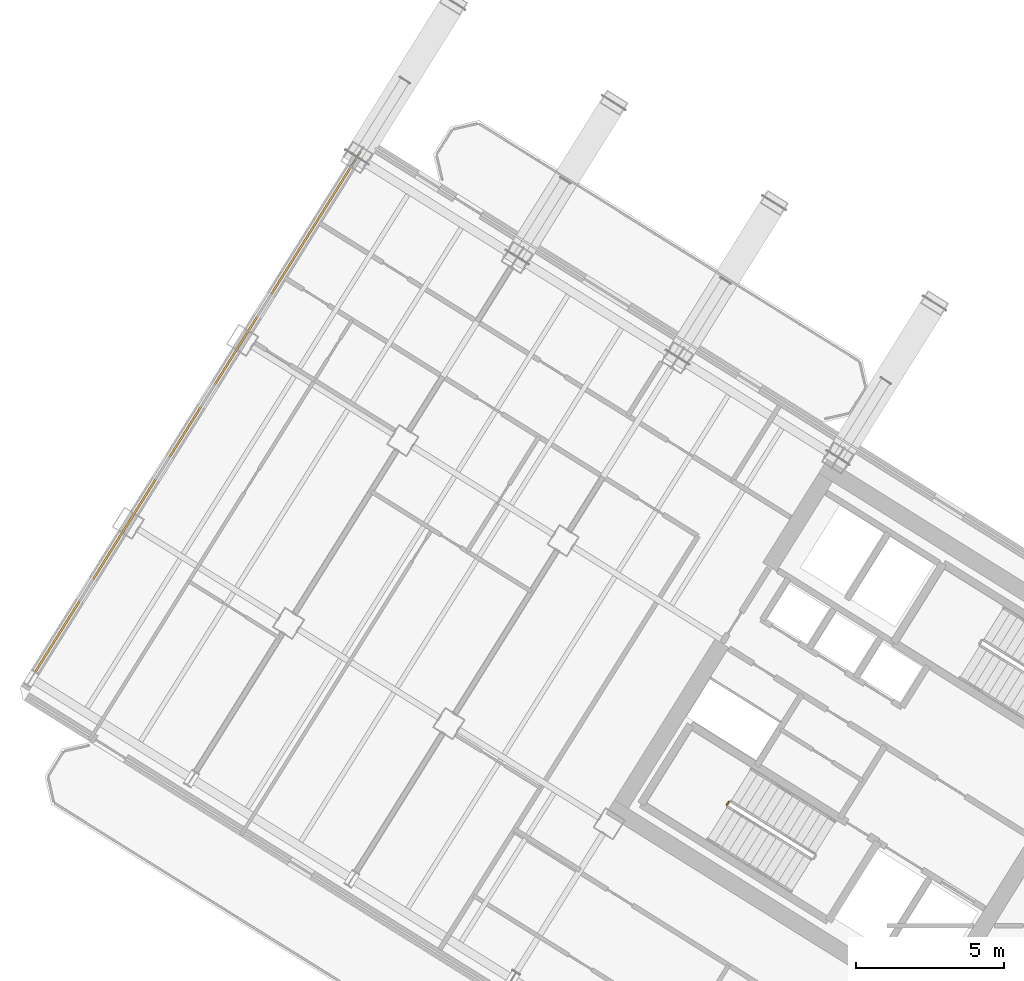
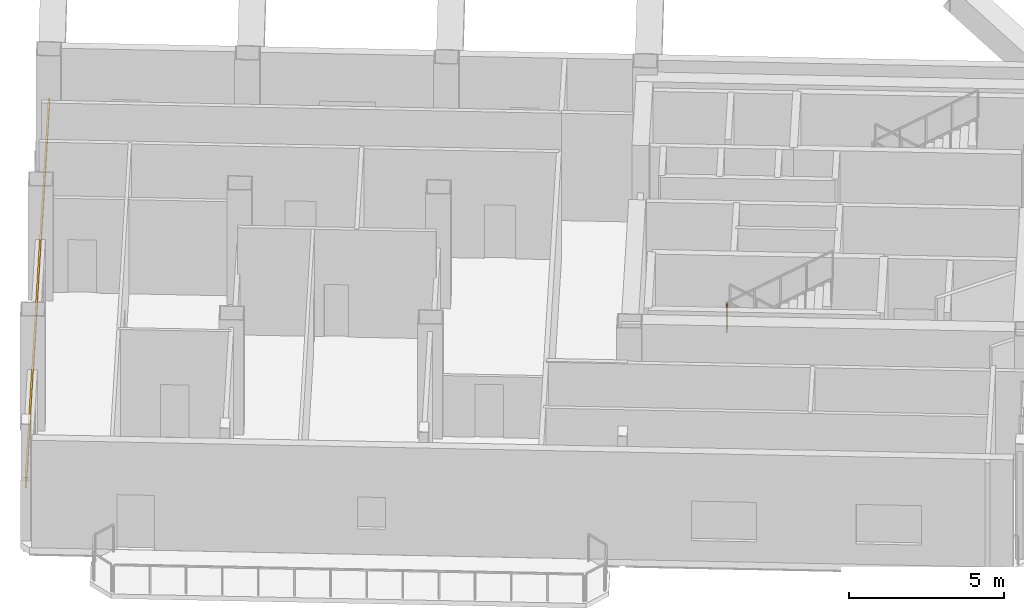
# One storey, part 30 of 34: 1 covering, 1 railing.
"""IFC4 building model written with IfcOpenShell, lengths in metres."""

from ifc_helpers import new_model, si_unit, direction, frame, origin, origin_2d, place, context, subcontext, project, spatial, rectangle, extrude, source, transform, mapped, material, layer, layer_set, type_object, element, save


model = new_model("IFC4")

# Units and contexts
model_context = context("Model", 3, precision=1e-05, world=origin(), true_north=direction((0.0, 1.0)))
body_context = subcontext(model_context, "Body", "Model", "MODEL_VIEW")
ifc_project = project(units=[si_unit("LENGTHUNIT", "METRE"), si_unit("AREAUNIT", "SQUARE_METRE"), si_unit("VOLUMEUNIT", "CUBIC_METRE"), si_unit("PLANEANGLEUNIT", "RADIAN"), si_unit("MASSUNIT", "GRAM", prefix="KILO")], contexts=[model_context])

# Site, building, storey
site_placement = place(None, origin())
site = spatial("IfcSite", under=ifc_project, at=site_placement, CompositionType="ELEMENT")
building_placement = place(site_placement, origin())
building = spatial("IfcBuilding", under=site, at=building_placement, Name="Tlacorven Tower", CompositionType="ELEMENT")
storey_placement = place(building_placement, frame((0.0, 0.0, 174.89990234375)))
storey = spatial("IfcBuildingStorey", under=building, at=storey_placement, Name="L44", CompositionType="ELEMENT", Elevation=174.89990234375)

# Covering
ifc_material_1 = material(Name="Precast concrete C45/55", Category="concrete")
ifc_layer = layer(ifc_material_1, 0.06005859375)
ifc_layer_set = layer_set([ifc_layer], Name="Precast concrete C45/55")
covering_type = type_object("IfcCoveringType", Name="CV-CLD-TERC", PredefinedType="CLADDING", material=ifc_layer_set)
shared_shape_1 = source(origin(), body_context, "Body", "SweptSolid", [
    extrude(rectangle(XDim=21.287353515625, YDim=0.06005859375, at=origin_2d()), origin(), (0.0, 0.0, 1.0), 0.419921875),
])
covering_placement = place(storey_placement, frame((8.13427734375, 32.606201171875, 1.97509765625), z_axis=(0.0, 0.0, 1.0), x_axis=(0.529918940959, 0.84804829816, 0.0)))
element("IfcCovering", 1, at=covering_placement, inside=storey, type_object=covering_type, Name="L44 Masonry-Frame Spandrel Cladding 2", PredefinedType="CLADDING", context=body_context, shape_type="MappedRepresentation", body=[
    mapped(shared_shape_1, transform((0.0, 0.0, 0.0), scale=1.0)),
])

# Railing
ifc_material_2 = material(Name="Aluminium and painted steel balustrade", Category="steel")
railing_type = type_object("IfcRailingType", Name="RL-GRD-1100", PredefinedType="GUARDRAIL", material=ifc_material_2)
shared_shape_2 = source(origin(), body_context, "Body", "SweptSolid", [
    extrude(rectangle(XDim=0.048095703125, YDim=0.048095703125, at=origin_2d()), frame((0.0, 0.0, 1.076171875), z_axis=(-0.530546985787, -0.847655529016, 0.0), x_axis=(0.847655529016, -0.530546985787, 0.0)), (0.0, 0.0, 1.0), 0.1201171875),
    extrude(rectangle(XDim=0.0419921875, YDim=0.0419921875, at=origin_2d()), origin(), (0.0, 0.0, 1.0), 1.052001953125),
    extrude(rectangle(XDim=0.0419921875, YDim=0.0419921875, at=origin_2d()), frame((-0.063720703125, -0.101806640625, 0.0)), (0.0, 0.0, 1.0), 1.052001953125),
])
railing_placement = place(storey_placement, frame((26.242431640625, 19.616455078125, 2.25)))
element("IfcRailing", 2, at=railing_placement, inside=storey, type_object=railing_type, Name="L44 ST-W1 stair guard 2", PredefinedType="GUARDRAIL", context=body_context, shape_type="MappedRepresentation", body=[
    mapped(shared_shape_2, transform((0.0, 0.0, 0.0), scale=1.0)),
])

save(model, "model.ifc")
